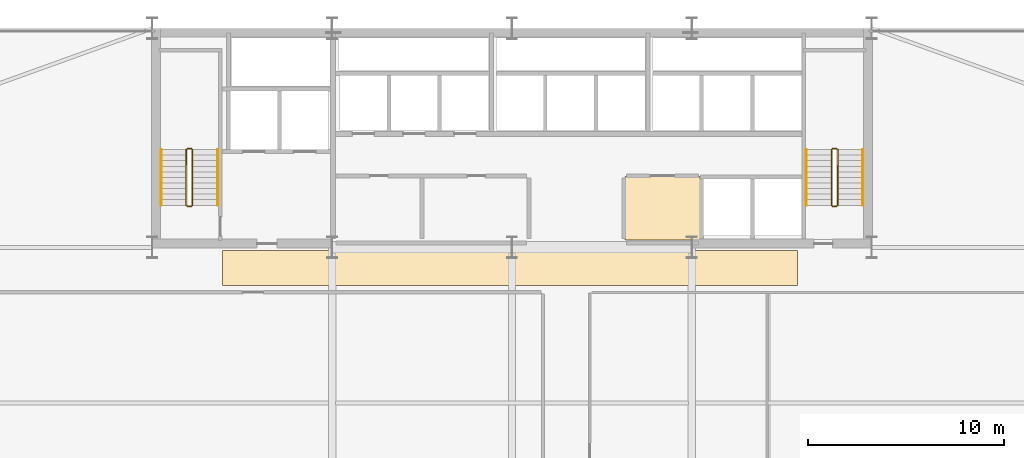
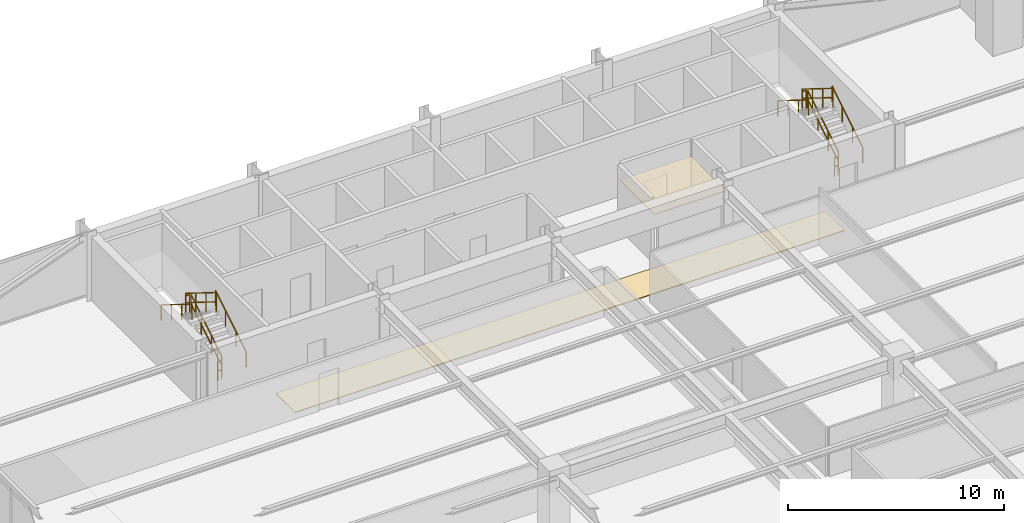
# One storey, part 32 of 32: 12 railings, 2 coverings.
"""IFC4 building model written with IfcOpenShell, lengths in metres."""

from ifc_helpers import new_model, si_unit, direction, frame, origin, origin_2d, place, context, subcontext, project, spatial, polyline, rectangle, outline, extrude, material, layer, layer_set, type_object, element, save


model = new_model("IFC4")

# Units and contexts
model_context = context("Model", 3, precision=1e-05, world=origin(), true_north=direction((0.0, 1.0)))
body_context = subcontext(model_context, "Body", "Model", "MODEL_VIEW")
ifc_project = project(units=[si_unit("LENGTHUNIT", "METRE"), si_unit("AREAUNIT", "SQUARE_METRE"), si_unit("VOLUMEUNIT", "CUBIC_METRE"), si_unit("PLANEANGLEUNIT", "RADIAN"), si_unit("MASSUNIT", "GRAM", prefix="KILO")], contexts=[model_context])

# Site, building, storey
site_placement = place(None, origin())
site = spatial("IfcSite", under=ifc_project, at=site_placement, CompositionType="ELEMENT")
building_placement = place(site_placement, origin())
building = spatial("IfcBuilding", under=site, at=building_placement, Name="Varnel Quay Broadcast Tower", CompositionType="ELEMENT")
storey_placement = place(building_placement, frame((0.0, 0.0, 78.300048828125)))
storey = spatial("IfcBuildingStorey", under=building, at=storey_placement, Name="L18", CompositionType="ELEMENT", Elevation=78.300048828125)

# Coverings
ifc_material_1 = material(Name="Micro-Perforated Acoustic Ceiling Tile")
ifc_layer_1 = layer(ifc_material_1, 0.0400390625, Name="Micro-Perforated Acoustic Ceiling Tile")
ifc_layer_set_1 = layer_set([ifc_layer_1], Name="Micro-Perforated Acoustic Ceiling Tile")
covering_type_1 = type_object("IfcCoveringType", Name="Cov_AcousticCeiling", PredefinedType="CEILING", material=ifc_layer_set_1)
covering_1_placement = place(storey_placement, frame((0.0, 0.0, 2.579833984375)))
element("IfcCovering", 1, at=covering_1_placement, inside=storey, type_object=covering_type_1, Name="L18 Electrical Sub-Distribution Closet Acoustic Ceiling", PredefinedType="CEILING", context=body_context, shape_type="SweptSolid", body=[
    extrude(outline(polyline([(39.784912109375, 35.985107421875), (43.614990234375, 35.985107421875), (43.614990234375, 39.215087890625), (39.784912109375, 39.215087890625), (39.784912109375, 35.985107421875)])), origin(), (0.0, 0.0, 1.0), 0.0400390625),
])
ifc_material_2 = material(Name="Polished Terrazzo & Broadcast Raised Flooring")
ifc_layer_2 = layer(ifc_material_2, 0.0400390625, Name="Polished Terrazzo & Broadcast Raised Flooring")
ifc_layer_set_2 = layer_set([ifc_layer_2], Name="Polished Terrazzo & Broadcast Raised Flooring")
covering_type_2 = type_object("IfcCoveringType", Name="Cov_TerrazzoFloor", PredefinedType="FLOORING", material=ifc_layer_set_2)
covering_2_placement = place(storey_placement, origin())
element("IfcCovering", 2, at=covering_2_placement, inside=storey, type_object=covering_type_2, Name="L18 Corridor Terrazzo Flooring", PredefinedType="FLOORING", context=body_context, shape_type="SweptSolid", body=[
    extrude(outline(polyline([(19.199951171875, 33.64990234375), (48.60009765625, 33.64990234375), (48.60009765625, 35.449951171875), (19.199951171875, 35.449951171875), (19.199951171875, 33.64990234375)])), origin(), (0.0, 0.0, 1.0), 0.0400390625),
])

# Railings
ifc_material_3 = material(Name="Painted Steel Guard and Handrail CSA G40.21 350W", Category="steel")
railing_type_1 = type_object("IfcRailingType", Name="Rail_StairGuard1100", PredefinedType="GUARDRAIL", material=ifc_material_3)
railing_1_placement = place(storey_placement, frame((17.64990234375, 37.75, 0.17724609375)))
element("IfcRailing", 3, at=railing_1_placement, inside=storey, type_object=railing_type_1, Name="L18 ST-01 stair guard 1", PredefinedType="GUARDRAIL", context=body_context, shape_type="SweptSolid", body=[
    extrude(rectangle(XDim=0.048095703125, YDim=0.048095703125, at=origin_2d()), frame((0.0, 0.0, 1.076171875), z_axis=(0.0, 0.849148672731, 0.528153890072), x_axis=(-1.0, 0.0, 0.0)), (0.0, 0.0, 1.0), 3.3564453125),
    extrude(rectangle(XDim=0.048095703125, YDim=0.048095703125, at=origin_2d()), frame((0.0, 0.0, 0.550048828125), z_axis=(0.0, 0.849148672731, 0.528153890072), x_axis=(-1.0, 0.0, 0.0)), (0.0, 0.0, 1.0), 3.3564453125),
    extrude(rectangle(XDim=0.0419921875, YDim=0.0419921875, at=origin_2d()), origin(), (0.0, 0.0, 1.0), 1.052001953125),
    extrude(rectangle(XDim=0.0419921875, YDim=0.0419921875, at=origin_2d()), frame((0.0, 0.949951171875, 0.5908203125)), (0.0, 0.0, 1.0), 1.052001953125),
    extrude(rectangle(XDim=0.0419921875, YDim=0.0419921875, at=origin_2d()), frame((0.0, 1.900146484375, 1.181884765625)), (0.0, 0.0, 1.0), 1.052001953125),
    extrude(rectangle(XDim=0.0419921875, YDim=0.0419921875, at=origin_2d()), frame((0.0, 2.85009765625, 1.772705078125)), (0.0, 0.0, 1.0), 1.052001953125),
])
railing_2_placement = place(storey_placement, frame((17.60009765625, 40.64990234375, 1.949951171875)))
element("IfcRailing", 4, at=railing_2_placement, inside=storey, type_object=railing_type_1, Name="L18 ST-01 stair guard 2", PredefinedType="GUARDRAIL", context=body_context, shape_type="SweptSolid", body=[
    extrude(rectangle(XDim=0.048095703125, YDim=0.048095703125, at=origin_2d()), frame((0.0, 0.0, 1.076171875), z_axis=(-1.0, 0.0, 0.0), x_axis=(0.0, -1.0, 0.0)), (0.0, 0.0, 1.0), 0.2001953125),
    extrude(rectangle(XDim=0.048095703125, YDim=0.048095703125, at=origin_2d()), frame((0.0, 0.0, 0.550048828125), z_axis=(-1.0, 0.0, 0.0), x_axis=(0.0, -1.0, 0.0)), (0.0, 0.0, 1.0), 0.2001953125),
    extrude(rectangle(XDim=0.0419921875, YDim=0.0419921875, at=origin_2d()), origin(), (0.0, 0.0, 1.0), 1.052001953125),
    extrude(rectangle(XDim=0.0419921875, YDim=0.0419921875, at=origin_2d()), frame((-0.2001953125, 0.0, 0.0)), (0.0, 0.0, 1.0), 1.052001953125),
])
railing_3_placement = place(storey_placement, frame((17.35009765625, 40.60009765625, 2.127197265625)))
element("IfcRailing", 5, at=railing_3_placement, inside=storey, type_object=railing_type_1, Name="L18 ST-01 stair guard 3", PredefinedType="GUARDRAIL", context=body_context, shape_type="SweptSolid", body=[
    extrude(rectangle(XDim=0.048095703125, YDim=0.048095703125, at=origin_2d()), frame((0.0, 0.0, 1.076171875), z_axis=(0.0, -0.849148672731, 0.528153890072), x_axis=(1.0, 0.0, 0.0)), (0.0, 0.0, 1.0), 3.3564453125),
    extrude(rectangle(XDim=0.048095703125, YDim=0.048095703125, at=origin_2d()), frame((0.0, 0.0, 0.550048828125), z_axis=(0.0, -0.849148672731, 0.528153890072), x_axis=(1.0, 0.0, 0.0)), (0.0, 0.0, 1.0), 3.3564453125),
    extrude(rectangle(XDim=0.0419921875, YDim=0.0419921875, at=origin_2d()), origin(), (0.0, 0.0, 1.0), 1.052001953125),
    extrude(rectangle(XDim=0.0419921875, YDim=0.0419921875, at=origin_2d()), frame((0.0, -0.949951171875, 0.5908203125)), (0.0, 0.0, 1.0), 1.052001953125),
    extrude(rectangle(XDim=0.0419921875, YDim=0.0419921875, at=origin_2d()), frame((0.0, -1.900146484375, 1.181884765625)), (0.0, 0.0, 1.0), 1.052001953125),
    extrude(rectangle(XDim=0.0419921875, YDim=0.0419921875, at=origin_2d()), frame((0.0, -2.85009765625, 1.772705078125)), (0.0, 0.0, 1.0), 1.052001953125),
])
railing_4_placement = place(storey_placement, frame((17.60009765625, 37.699951171875, 0.0)))
element("IfcRailing", 6, at=railing_4_placement, inside=storey, type_object=railing_type_1, Name="L18 ST-01 stair guard 4", PredefinedType="GUARDRAIL", context=body_context, shape_type="SweptSolid", body=[
    extrude(rectangle(XDim=0.048095703125, YDim=0.048095703125, at=origin_2d()), frame((0.0, 0.0, 1.076171875), z_axis=(-1.0, 0.0, 0.0), x_axis=(0.0, -1.0, 0.0)), (0.0, 0.0, 1.0), 0.2001953125),
    extrude(rectangle(XDim=0.048095703125, YDim=0.048095703125, at=origin_2d()), frame((0.0, 0.0, 0.550048828125), z_axis=(-1.0, 0.0, 0.0), x_axis=(0.0, -1.0, 0.0)), (0.0, 0.0, 1.0), 0.2001953125),
    extrude(rectangle(XDim=0.0419921875, YDim=0.0419921875, at=origin_2d()), origin(), (0.0, 0.0, 1.0), 1.052001953125),
    extrude(rectangle(XDim=0.0419921875, YDim=0.0419921875, at=origin_2d()), frame((-0.2001953125, 0.0, 0.0)), (0.0, 0.0, 1.0), 1.052001953125),
])
railing_5_placement = place(storey_placement, frame((50.64990234375, 37.75, 0.17724609375)))
element("IfcRailing", 7, at=railing_5_placement, inside=storey, type_object=railing_type_1, Name="L18 ST-02 stair guard 1", PredefinedType="GUARDRAIL", context=body_context, shape_type="SweptSolid", body=[
    extrude(rectangle(XDim=0.048095703125, YDim=0.048095703125, at=origin_2d()), frame((0.0, 0.0, 1.076171875), z_axis=(0.0, 0.849148672731, 0.528153890072), x_axis=(-1.0, 0.0, 0.0)), (0.0, 0.0, 1.0), 3.3564453125),
    extrude(rectangle(XDim=0.048095703125, YDim=0.048095703125, at=origin_2d()), frame((0.0, 0.0, 0.550048828125), z_axis=(0.0, 0.849148672731, 0.528153890072), x_axis=(-1.0, 0.0, 0.0)), (0.0, 0.0, 1.0), 3.3564453125),
    extrude(rectangle(XDim=0.0419921875, YDim=0.0419921875, at=origin_2d()), origin(), (0.0, 0.0, 1.0), 1.052001953125),
    extrude(rectangle(XDim=0.0419921875, YDim=0.0419921875, at=origin_2d()), frame((0.0, 0.949951171875, 0.5908203125)), (0.0, 0.0, 1.0), 1.052001953125),
    extrude(rectangle(XDim=0.0419921875, YDim=0.0419921875, at=origin_2d()), frame((0.0, 1.900146484375, 1.181884765625)), (0.0, 0.0, 1.0), 1.052001953125),
    extrude(rectangle(XDim=0.0419921875, YDim=0.0419921875, at=origin_2d()), frame((0.0, 2.85009765625, 1.772705078125)), (0.0, 0.0, 1.0), 1.052001953125),
])
railing_6_placement = place(storey_placement, frame((50.60009765625, 40.64990234375, 1.949951171875)))
element("IfcRailing", 8, at=railing_6_placement, inside=storey, type_object=railing_type_1, Name="L18 ST-02 stair guard 2", PredefinedType="GUARDRAIL", context=body_context, shape_type="SweptSolid", body=[
    extrude(rectangle(XDim=0.048095703125, YDim=0.048095703125, at=origin_2d()), frame((0.0, 0.0, 1.076171875), z_axis=(-1.0, 0.0, 0.0), x_axis=(0.0, -1.0, 0.0)), (0.0, 0.0, 1.0), 0.2001953125),
    extrude(rectangle(XDim=0.048095703125, YDim=0.048095703125, at=origin_2d()), frame((0.0, 0.0, 0.550048828125), z_axis=(-1.0, 0.0, 0.0), x_axis=(0.0, -1.0, 0.0)), (0.0, 0.0, 1.0), 0.2001953125),
    extrude(rectangle(XDim=0.0419921875, YDim=0.0419921875, at=origin_2d()), origin(), (0.0, 0.0, 1.0), 1.052001953125),
    extrude(rectangle(XDim=0.0419921875, YDim=0.0419921875, at=origin_2d()), frame((-0.2001953125, 0.0, 0.0)), (0.0, 0.0, 1.0), 1.052001953125),
])
railing_7_placement = place(storey_placement, frame((50.35009765625, 40.60009765625, 2.127197265625)))
element("IfcRailing", 9, at=railing_7_placement, inside=storey, type_object=railing_type_1, Name="L18 ST-02 stair guard 3", PredefinedType="GUARDRAIL", context=body_context, shape_type="SweptSolid", body=[
    extrude(rectangle(XDim=0.048095703125, YDim=0.048095703125, at=origin_2d()), frame((0.0, 0.0, 1.076171875), z_axis=(0.0, -0.849148672731, 0.528153890072), x_axis=(1.0, 0.0, 0.0)), (0.0, 0.0, 1.0), 3.3564453125),
    extrude(rectangle(XDim=0.048095703125, YDim=0.048095703125, at=origin_2d()), frame((0.0, 0.0, 0.550048828125), z_axis=(0.0, -0.849148672731, 0.528153890072), x_axis=(1.0, 0.0, 0.0)), (0.0, 0.0, 1.0), 3.3564453125),
    extrude(rectangle(XDim=0.0419921875, YDim=0.0419921875, at=origin_2d()), origin(), (0.0, 0.0, 1.0), 1.052001953125),
    extrude(rectangle(XDim=0.0419921875, YDim=0.0419921875, at=origin_2d()), frame((0.0, -0.949951171875, 0.5908203125)), (0.0, 0.0, 1.0), 1.052001953125),
    extrude(rectangle(XDim=0.0419921875, YDim=0.0419921875, at=origin_2d()), frame((0.0, -1.900146484375, 1.181884765625)), (0.0, 0.0, 1.0), 1.052001953125),
    extrude(rectangle(XDim=0.0419921875, YDim=0.0419921875, at=origin_2d()), frame((0.0, -2.85009765625, 1.772705078125)), (0.0, 0.0, 1.0), 1.052001953125),
])
railing_8_placement = place(storey_placement, frame((50.60009765625, 37.699951171875, 0.0)))
element("IfcRailing", 10, at=railing_8_placement, inside=storey, type_object=railing_type_1, Name="L18 ST-02 stair guard 4", PredefinedType="GUARDRAIL", context=body_context, shape_type="SweptSolid", body=[
    extrude(rectangle(XDim=0.048095703125, YDim=0.048095703125, at=origin_2d()), frame((0.0, 0.0, 1.076171875), z_axis=(-1.0, 0.0, 0.0), x_axis=(0.0, -1.0, 0.0)), (0.0, 0.0, 1.0), 0.2001953125),
    extrude(rectangle(XDim=0.048095703125, YDim=0.048095703125, at=origin_2d()), frame((0.0, 0.0, 0.550048828125), z_axis=(-1.0, 0.0, 0.0), x_axis=(0.0, -1.0, 0.0)), (0.0, 0.0, 1.0), 0.2001953125),
    extrude(rectangle(XDim=0.0419921875, YDim=0.0419921875, at=origin_2d()), origin(), (0.0, 0.0, 1.0), 1.052001953125),
    extrude(rectangle(XDim=0.0419921875, YDim=0.0419921875, at=origin_2d()), frame((-0.2001953125, 0.0, 0.0)), (0.0, 0.0, 1.0), 1.052001953125),
])
railing_type_2 = type_object("IfcRailingType", Name="Rail_StairHandrail900", PredefinedType="HANDRAIL", material=ifc_material_3)
railing_9_placement = place(storey_placement, frame((18.949951171875, 37.75, 0.17724609375)))
element("IfcRailing", 11, at=railing_9_placement, inside=storey, type_object=railing_type_2, Name="L18 ST-01 stair handrail 1", PredefinedType="HANDRAIL", context=body_context, shape_type="SweptSolid", body=[
    extrude(rectangle(XDim=0.048095703125, YDim=0.048095703125, at=origin_2d()), frame((0.0, 0.0, 0.8759765625), z_axis=(0.0, 0.849148672731, 0.528153890072), x_axis=(-1.0, 0.0, 0.0)), (0.0, 0.0, 1.0), 3.3564453125),
    extrude(rectangle(XDim=0.0419921875, YDim=0.0419921875, at=origin_2d()), origin(), (0.0, 0.0, 1.0), 0.851806640625),
    extrude(rectangle(XDim=0.0419921875, YDim=0.0419921875, at=origin_2d()), frame((0.0, 0.949951171875, 0.5908203125)), (0.0, 0.0, 1.0), 0.851806640625),
    extrude(rectangle(XDim=0.0419921875, YDim=0.0419921875, at=origin_2d()), frame((0.0, 1.900146484375, 1.181884765625)), (0.0, 0.0, 1.0), 0.851806640625),
    extrude(rectangle(XDim=0.0419921875, YDim=0.0419921875, at=origin_2d()), frame((0.0, 2.85009765625, 1.772705078125)), (0.0, 0.0, 1.0), 0.851806640625),
])
railing_10_placement = place(storey_placement, frame((16.050048828125, 40.60009765625, 2.127197265625)))
element("IfcRailing", 12, at=railing_10_placement, inside=storey, type_object=railing_type_2, Name="L18 ST-01 stair handrail 2", PredefinedType="HANDRAIL", context=body_context, shape_type="SweptSolid", body=[
    extrude(rectangle(XDim=0.048095703125, YDim=0.048095703125, at=origin_2d()), frame((0.0, 0.0, 0.8759765625), z_axis=(0.0, -0.849148672731, 0.528153890072), x_axis=(1.0, 0.0, 0.0)), (0.0, 0.0, 1.0), 3.3564453125),
    extrude(rectangle(XDim=0.0419921875, YDim=0.0419921875, at=origin_2d()), origin(), (0.0, 0.0, 1.0), 0.851806640625),
    extrude(rectangle(XDim=0.0419921875, YDim=0.0419921875, at=origin_2d()), frame((0.0, -0.949951171875, 0.5908203125)), (0.0, 0.0, 1.0), 0.851806640625),
    extrude(rectangle(XDim=0.0419921875, YDim=0.0419921875, at=origin_2d()), frame((0.0, -1.900146484375, 1.181884765625)), (0.0, 0.0, 1.0), 0.851806640625),
    extrude(rectangle(XDim=0.0419921875, YDim=0.0419921875, at=origin_2d()), frame((0.0, -2.85009765625, 1.772705078125)), (0.0, 0.0, 1.0), 0.851806640625),
])
railing_11_placement = place(storey_placement, frame((51.949951171875, 37.75, 0.17724609375)))
element("IfcRailing", 13, at=railing_11_placement, inside=storey, type_object=railing_type_2, Name="L18 ST-02 stair handrail 1", PredefinedType="HANDRAIL", context=body_context, shape_type="SweptSolid", body=[
    extrude(rectangle(XDim=0.048095703125, YDim=0.048095703125, at=origin_2d()), frame((0.0, 0.0, 0.8759765625), z_axis=(0.0, 0.849148672731, 0.528153890072), x_axis=(-1.0, 0.0, 0.0)), (0.0, 0.0, 1.0), 3.3564453125),
    extrude(rectangle(XDim=0.0419921875, YDim=0.0419921875, at=origin_2d()), origin(), (0.0, 0.0, 1.0), 0.851806640625),
    extrude(rectangle(XDim=0.0419921875, YDim=0.0419921875, at=origin_2d()), frame((0.0, 0.949951171875, 0.5908203125)), (0.0, 0.0, 1.0), 0.851806640625),
    extrude(rectangle(XDim=0.0419921875, YDim=0.0419921875, at=origin_2d()), frame((0.0, 1.900146484375, 1.181884765625)), (0.0, 0.0, 1.0), 0.851806640625),
    extrude(rectangle(XDim=0.0419921875, YDim=0.0419921875, at=origin_2d()), frame((0.0, 2.85009765625, 1.772705078125)), (0.0, 0.0, 1.0), 0.851806640625),
])
railing_12_placement = place(storey_placement, frame((49.050048828125, 40.60009765625, 2.127197265625)))
element("IfcRailing", 14, at=railing_12_placement, inside=storey, type_object=railing_type_2, Name="L18 ST-02 stair handrail 2", PredefinedType="HANDRAIL", context=body_context, shape_type="SweptSolid", body=[
    extrude(rectangle(XDim=0.048095703125, YDim=0.048095703125, at=origin_2d()), frame((0.0, 0.0, 0.8759765625), z_axis=(0.0, -0.849148672731, 0.528153890072), x_axis=(1.0, 0.0, 0.0)), (0.0, 0.0, 1.0), 3.3564453125),
    extrude(rectangle(XDim=0.0419921875, YDim=0.0419921875, at=origin_2d()), origin(), (0.0, 0.0, 1.0), 0.851806640625),
    extrude(rectangle(XDim=0.0419921875, YDim=0.0419921875, at=origin_2d()), frame((0.0, -0.949951171875, 0.5908203125)), (0.0, 0.0, 1.0), 0.851806640625),
    extrude(rectangle(XDim=0.0419921875, YDim=0.0419921875, at=origin_2d()), frame((0.0, -1.900146484375, 1.181884765625)), (0.0, 0.0, 1.0), 0.851806640625),
    extrude(rectangle(XDim=0.0419921875, YDim=0.0419921875, at=origin_2d()), frame((0.0, -2.85009765625, 1.772705078125)), (0.0, 0.0, 1.0), 0.851806640625),
])

save(model, "model.ifc")
